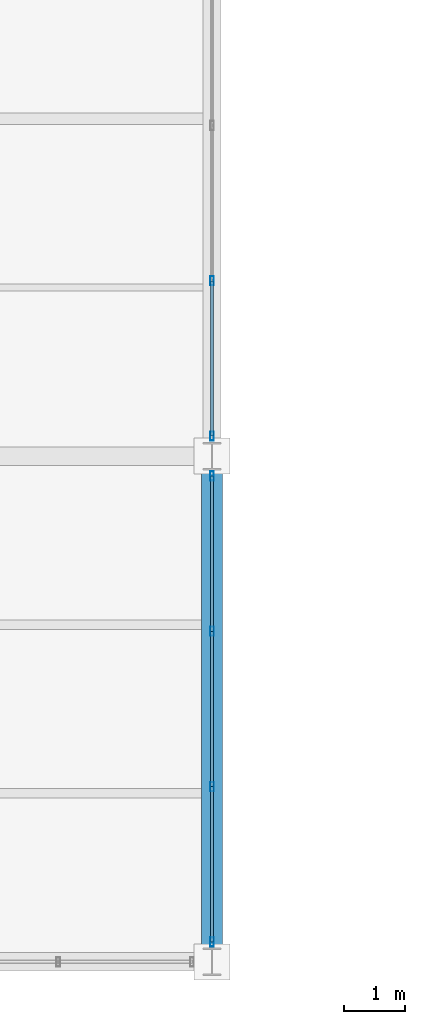
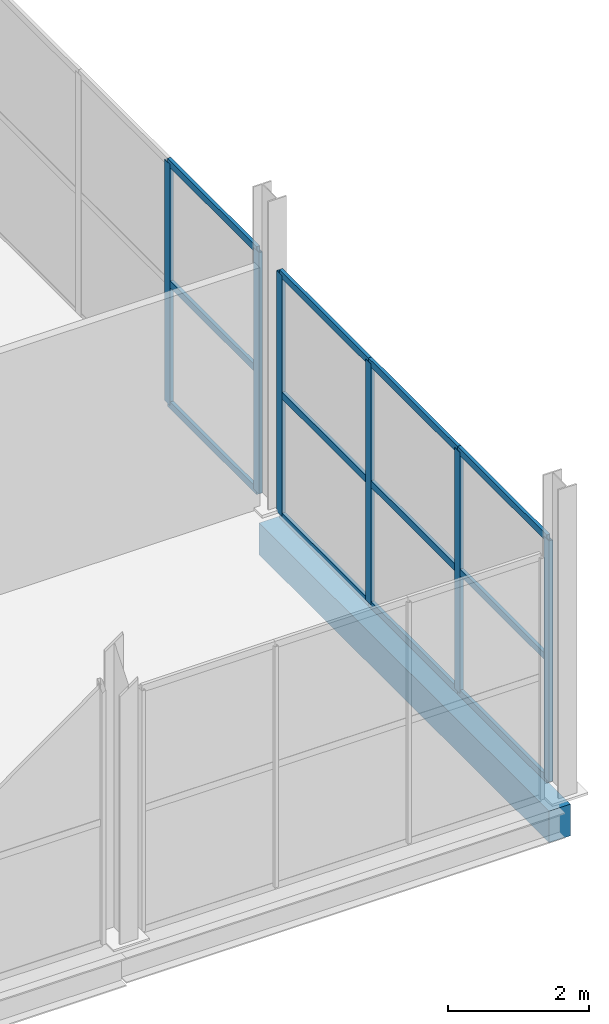
# One storey, part 82 of 147: 18 members, 1 beam, 2 elements without a shape of their own.
"""IFC4 building model written with IfcOpenShell, lengths in metres."""

from ifc_helpers import new_model, si_unit, direction, frame, origin, origin_2d, place, context, subcontext, project, spatial, rectangle, hollow_rectangle, extrude, material, layer, layer_set, material_profile, profile_set, type_object, element, aggregate, save


model = new_model("IFC4")

# Units and contexts
model_context = context("Model", 3, precision=1e-05, world=origin(), true_north=direction((0.0, 1.0)))
body_context = subcontext(model_context, "Body", "Model", "MODEL_VIEW")
ifc_project = project(units=[si_unit("LENGTHUNIT", "METRE"), si_unit("AREAUNIT", "SQUARE_METRE"), si_unit("VOLUMEUNIT", "CUBIC_METRE"), si_unit("PLANEANGLEUNIT", "RADIAN"), si_unit("MASSUNIT", "GRAM", prefix="KILO")], contexts=[model_context])

# Site, building, storey
site_placement = place(None, origin())
site = spatial("IfcSite", under=ifc_project, at=site_placement, CompositionType="ELEMENT")
building_placement = place(site_placement, origin())
building = spatial("IfcBuilding", under=site, at=building_placement, Name="Sundgate Opera House", CompositionType="ELEMENT")
storey_placement = place(building_placement, frame((0.0, 0.0, 6.0)))
storey = spatial("IfcBuildingStorey", under=building, at=storey_placement, Name="L01", CompositionType="ELEMENT", Elevation=6.0)

# Beam
ifc_material_1 = material(Name="Concrete C35/45", Category="concrete")
ifc_material_profile_1 = material_profile(ifc_material_1, rectangle(XDim=0.35009765625, YDim=0.550048828125, at=origin_2d()), Name="RC 350x550")
ifc_profile_set_1 = profile_set([ifc_material_profile_1], Name="Concrete C35/45")
beam_type = type_object("IfcBeamType", Name="BM-RC-350x550", PredefinedType="BEAM", material=ifc_profile_set_1)
beam_placement = place(storey_placement, frame((160.199951171875, 0.0, -0.574951171875), z_axis=(0.0, 1.0, 0.0), x_axis=(-1.0, 0.0, 0.0)))
element("IfcBeam", 1, at=beam_placement, inside=storey, type_object=beam_type, Name="L01 Primary N-S Girder B1247", PredefinedType="BEAM", context=body_context, shape_type="SweptSolid", body=[
    extrude(rectangle(XDim=0.35009765625, YDim=0.550048828125, at=origin_2d()), origin(), (0.0, 0.0, 1.0), 8.25),
])

# Curtain wall, members
ifc_material_2 = material(Name="Anodized aluminium and low-iron glass", Category="aluminium")
ifc_layer = layer(ifc_material_2, 0.14990234375)
ifc_layer_set = layer_set([ifc_layer], Name="Anodized aluminium and low-iron glass")
curtain_wall_type = type_object("IfcCurtainWallType", Name="CW-WORKSHOP-DARK", PredefinedType="NOTDEFINED", material=ifc_layer_set)
curtain_wall_1_placement = place(storey_placement, origin())
curtain_wall_1 = element("IfcCurtainWall", 2, at=curtain_wall_1_placement, inside=storey, type_object=curtain_wall_type, Name="L01 Curtain Wall CW148", PredefinedType="NOTDEFINED")
ifc_material_3 = material(Name="Anodized aluminium EN AW-6063", Category="aluminium")
ifc_material_profile_2 = material_profile(ifc_material_3, hollow_rectangle(XDim=0.06005859375, YDim=0.14990234375, WallThickness=0.00390625, at=origin_2d()), Name="CWM 150x60x4")
ifc_profile_set_2 = profile_set([ifc_material_profile_2], Name="Anodized aluminium EN AW-6063")
member_type_1 = type_object("IfcMemberType", Name="CWM-ALU-150x60", PredefinedType="MULLION", material=ifc_profile_set_2)
member_1_placement = place(storey_placement, frame((160.199951171875, 0.324951171875, 0.0), z_axis=(0.0, 0.0, 1.0), x_axis=(1.0, 0.0, 0.0)))
member_1 = element("IfcMember", 3, at=member_1_placement, type_object=member_type_1, Name="CW148 Mullion 1", PredefinedType="MULLION", context=body_context, shape_type="SweptSolid", body=[
    extrude(hollow_rectangle(XDim=0.06005859375, YDim=0.14990234375, WallThickness=0.00390625, at=origin_2d()), origin(), (0.0, 0.0, 1.0), 4.18505859375),
])
member_2_placement = place(storey_placement, frame((160.199951171875, 2.8583984375, 0.0), z_axis=(0.0, 0.0, 1.0), x_axis=(1.0, 0.0, 0.0)))
member_2 = element("IfcMember", 4, at=member_2_placement, type_object=member_type_1, Name="CW148 Mullion 2", PredefinedType="MULLION", context=body_context, shape_type="SweptSolid", body=[
    extrude(hollow_rectangle(XDim=0.06005859375, YDim=0.14990234375, WallThickness=0.00390625, at=origin_2d()), origin(), (0.0, 0.0, 1.0), 4.18505859375),
])
member_3_placement = place(storey_placement, frame((160.199951171875, 5.3916015625, 0.0), z_axis=(0.0, 0.0, 1.0), x_axis=(1.0, 0.0, 0.0)))
member_3 = element("IfcMember", 5, at=member_3_placement, type_object=member_type_1, Name="CW148 Mullion 3", PredefinedType="MULLION", context=body_context, shape_type="SweptSolid", body=[
    extrude(hollow_rectangle(XDim=0.06005859375, YDim=0.14990234375, WallThickness=0.00390625, at=origin_2d()), origin(), (0.0, 0.0, 1.0), 4.18505859375),
])
member_4_placement = place(storey_placement, frame((160.199951171875, 7.925048828125, 0.0), z_axis=(0.0, 0.0, 1.0), x_axis=(1.0, 0.0, 0.0)))
member_4 = element("IfcMember", 6, at=member_4_placement, type_object=member_type_1, Name="CW148 Mullion 4", PredefinedType="MULLION", context=body_context, shape_type="SweptSolid", body=[
    extrude(hollow_rectangle(XDim=0.06005859375, YDim=0.14990234375, WallThickness=0.00390625, at=origin_2d()), origin(), (0.0, 0.0, 1.0), 4.18505859375),
])

curtain_wall_2_placement = place(storey_placement, origin())
curtain_wall_2 = element("IfcCurtainWall", 7, at=curtain_wall_2_placement, inside=storey, type_object=curtain_wall_type, Name="L01 Curtain Wall CW149", PredefinedType="NOTDEFINED")
member_5_placement = place(storey_placement, frame((160.199951171875, 8.574951171875, 0.0), z_axis=(0.0, 0.0, 1.0), x_axis=(1.0, 0.0, 0.0)))
member_5 = element("IfcMember", 8, at=member_5_placement, type_object=member_type_1, Name="CW149 Mullion 1", PredefinedType="MULLION", context=body_context, shape_type="SweptSolid", body=[
    extrude(hollow_rectangle(XDim=0.06005859375, YDim=0.14990234375, WallThickness=0.00390625, at=origin_2d()), origin(), (0.0, 0.0, 1.0), 4.18505859375),
])
member_6_placement = place(storey_placement, frame((160.199951171875, 11.1083984375, 0.0), z_axis=(0.0, 0.0, 1.0), x_axis=(1.0, 0.0, 0.0)))
member_6 = element("IfcMember", 9, at=member_6_placement, type_object=member_type_1, Name="CW149 Mullion 2", PredefinedType="MULLION", context=body_context, shape_type="SweptSolid", body=[
    extrude(hollow_rectangle(XDim=0.06005859375, YDim=0.14990234375, WallThickness=0.00390625, at=origin_2d()), origin(), (0.0, 0.0, 1.0), 4.18505859375),
])

# Member
ifc_material_4 = material(Name="Anodized aluminium EN AW-6063", Category="aluminium")
ifc_material_profile_3 = material_profile(ifc_material_4, hollow_rectangle(XDim=0.054931640625, YDim=0.1201171875, WallThickness=0.00390625, at=origin_2d()), Name="CWT 120x55x4")
ifc_profile_set_3 = profile_set([ifc_material_profile_3], Name="Anodized aluminium EN AW-6063")
member_type_2 = type_object("IfcMemberType", Name="CWT-ALU-120x55", PredefinedType="USERDEFINED", material=ifc_profile_set_3)
member_7_placement = place(storey_placement, frame((160.199951171875, 0.324951171875, 0.0), z_axis=(0.0, 1.0, 0.0), x_axis=(-1.0, 0.0, 0.0)))
member_7 = element("IfcMember", 10, at=member_7_placement, type_object=member_type_2, Name="CW148 Transom 1", ObjectType="TRANSOM", PredefinedType="USERDEFINED", context=body_context, shape_type="SweptSolid", body=[
    extrude(hollow_rectangle(XDim=0.054931640625, YDim=0.1201171875, WallThickness=0.00390625, at=origin_2d()), origin(), (0.0, 0.0, 1.0), 2.533447265625),
])

member_8_placement = place(storey_placement, frame((160.199951171875, 0.324951171875, 2.10009765625), z_axis=(0.0, 1.0, 0.0), x_axis=(-1.0, 0.0, 0.0)))
member_8 = element("IfcMember", 11, at=member_8_placement, type_object=member_type_2, Name="CW148 Transom 2", ObjectType="TRANSOM", PredefinedType="USERDEFINED", context=body_context, shape_type="SweptSolid", body=[
    extrude(hollow_rectangle(XDim=0.054931640625, YDim=0.1201171875, WallThickness=0.00390625, at=origin_2d()), origin(), (0.0, 0.0, 1.0), 2.533447265625),
])

member_9_placement = place(storey_placement, frame((160.199951171875, 0.324951171875, 4.18505859375), z_axis=(0.0, 1.0, 0.0), x_axis=(-1.0, 0.0, 0.0)))
member_9 = element("IfcMember", 12, at=member_9_placement, type_object=member_type_2, Name="CW148 Transom 3", ObjectType="TRANSOM", PredefinedType="USERDEFINED", context=body_context, shape_type="SweptSolid", body=[
    extrude(hollow_rectangle(XDim=0.054931640625, YDim=0.1201171875, WallThickness=0.00390625, at=origin_2d()), origin(), (0.0, 0.0, 1.0), 2.533447265625),
])

member_10_placement = place(storey_placement, frame((160.199951171875, 2.8583984375, 0.0), z_axis=(0.0, 1.0, 0.0), x_axis=(-1.0, 0.0, 0.0)))
member_10 = element("IfcMember", 13, at=member_10_placement, type_object=member_type_2, Name="CW148 Transom 4", ObjectType="TRANSOM", PredefinedType="USERDEFINED", context=body_context, shape_type="SweptSolid", body=[
    extrude(hollow_rectangle(XDim=0.054931640625, YDim=0.1201171875, WallThickness=0.00390625, at=origin_2d()), origin(), (0.0, 0.0, 1.0), 2.533203125),
])

member_11_placement = place(storey_placement, frame((160.199951171875, 2.8583984375, 2.10009765625), z_axis=(0.0, 1.0, 0.0), x_axis=(-1.0, 0.0, 0.0)))
member_11 = element("IfcMember", 14, at=member_11_placement, type_object=member_type_2, Name="CW148 Transom 5", ObjectType="TRANSOM", PredefinedType="USERDEFINED", context=body_context, shape_type="SweptSolid", body=[
    extrude(hollow_rectangle(XDim=0.054931640625, YDim=0.1201171875, WallThickness=0.00390625, at=origin_2d()), origin(), (0.0, 0.0, 1.0), 2.533203125),
])

member_12_placement = place(storey_placement, frame((160.199951171875, 2.8583984375, 4.18505859375), z_axis=(0.0, 1.0, 0.0), x_axis=(-1.0, 0.0, 0.0)))
member_12 = element("IfcMember", 15, at=member_12_placement, type_object=member_type_2, Name="CW148 Transom 6", ObjectType="TRANSOM", PredefinedType="USERDEFINED", context=body_context, shape_type="SweptSolid", body=[
    extrude(hollow_rectangle(XDim=0.054931640625, YDim=0.1201171875, WallThickness=0.00390625, at=origin_2d()), origin(), (0.0, 0.0, 1.0), 2.533203125),
])

member_13_placement = place(storey_placement, frame((160.199951171875, 5.3916015625, 0.0), z_axis=(0.0, 1.0, 0.0), x_axis=(-1.0, 0.0, 0.0)))
member_13 = element("IfcMember", 16, at=member_13_placement, type_object=member_type_2, Name="CW148 Transom 7", ObjectType="TRANSOM", PredefinedType="USERDEFINED", context=body_context, shape_type="SweptSolid", body=[
    extrude(hollow_rectangle(XDim=0.054931640625, YDim=0.1201171875, WallThickness=0.00390625, at=origin_2d()), origin(), (0.0, 0.0, 1.0), 2.533447265625),
])

member_14_placement = place(storey_placement, frame((160.199951171875, 5.3916015625, 2.10009765625), z_axis=(0.0, 1.0, 0.0), x_axis=(-1.0, 0.0, 0.0)))
member_14 = element("IfcMember", 17, at=member_14_placement, type_object=member_type_2, Name="CW148 Transom 8", ObjectType="TRANSOM", PredefinedType="USERDEFINED", context=body_context, shape_type="SweptSolid", body=[
    extrude(hollow_rectangle(XDim=0.054931640625, YDim=0.1201171875, WallThickness=0.00390625, at=origin_2d()), origin(), (0.0, 0.0, 1.0), 2.533447265625),
])

member_15_placement = place(storey_placement, frame((160.199951171875, 5.3916015625, 4.18505859375), z_axis=(0.0, 1.0, 0.0), x_axis=(-1.0, 0.0, 0.0)))
member_15 = element("IfcMember", 18, at=member_15_placement, type_object=member_type_2, Name="CW148 Transom 9", ObjectType="TRANSOM", PredefinedType="USERDEFINED", context=body_context, shape_type="SweptSolid", body=[
    extrude(hollow_rectangle(XDim=0.054931640625, YDim=0.1201171875, WallThickness=0.00390625, at=origin_2d()), origin(), (0.0, 0.0, 1.0), 2.533447265625),
])

aggregate(curtain_wall_1, [member_1, member_2, member_3, member_4, member_7, member_8, member_9, member_10, member_11, member_12, member_13, member_14, member_15])

member_16_placement = place(storey_placement, frame((160.199951171875, 8.574951171875, 0.0), z_axis=(0.0, 1.0, 0.0), x_axis=(-1.0, 0.0, 0.0)))
member_16 = element("IfcMember", 19, at=member_16_placement, type_object=member_type_2, Name="CW149 Transom 1", ObjectType="TRANSOM", PredefinedType="USERDEFINED", context=body_context, shape_type="SweptSolid", body=[
    extrude(hollow_rectangle(XDim=0.054931640625, YDim=0.1201171875, WallThickness=0.00390625, at=origin_2d()), origin(), (0.0, 0.0, 1.0), 2.533447265625),
])

member_17_placement = place(storey_placement, frame((160.199951171875, 8.574951171875, 2.10009765625), z_axis=(0.0, 1.0, 0.0), x_axis=(-1.0, 0.0, 0.0)))
member_17 = element("IfcMember", 20, at=member_17_placement, type_object=member_type_2, Name="CW149 Transom 2", ObjectType="TRANSOM", PredefinedType="USERDEFINED", context=body_context, shape_type="SweptSolid", body=[
    extrude(hollow_rectangle(XDim=0.054931640625, YDim=0.1201171875, WallThickness=0.00390625, at=origin_2d()), origin(), (0.0, 0.0, 1.0), 2.533447265625),
])

member_18_placement = place(storey_placement, frame((160.199951171875, 8.574951171875, 4.18505859375), z_axis=(0.0, 1.0, 0.0), x_axis=(-1.0, 0.0, 0.0)))
member_18 = element("IfcMember", 21, at=member_18_placement, type_object=member_type_2, Name="CW149 Transom 3", ObjectType="TRANSOM", PredefinedType="USERDEFINED", context=body_context, shape_type="SweptSolid", body=[
    extrude(hollow_rectangle(XDim=0.054931640625, YDim=0.1201171875, WallThickness=0.00390625, at=origin_2d()), origin(), (0.0, 0.0, 1.0), 2.533447265625),
])

aggregate(curtain_wall_2, [member_5, member_6, member_16, member_17, member_18])

save(model, "model.ifc")
